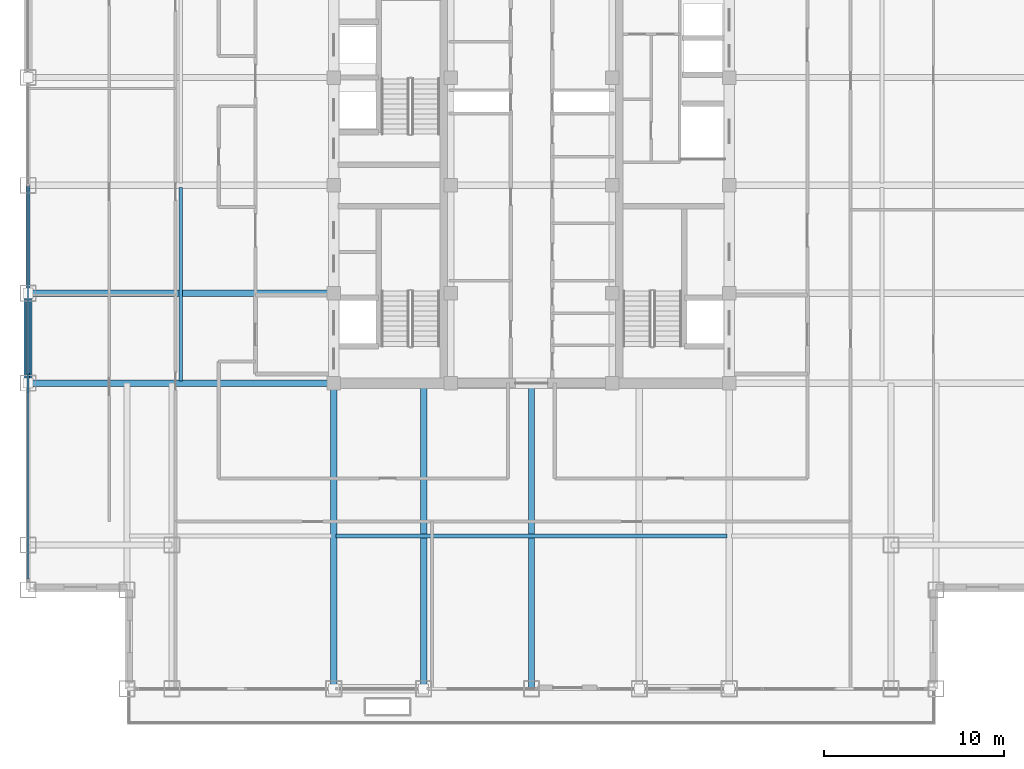
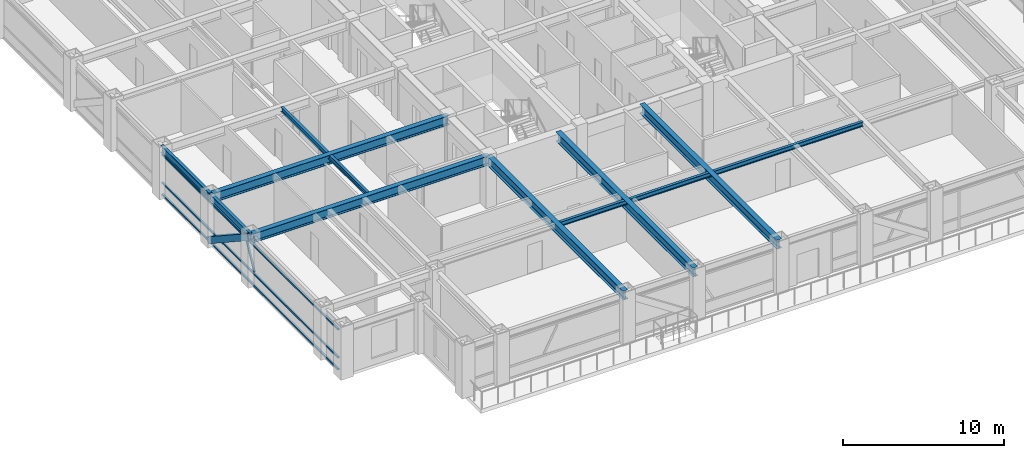
# One storey, part 6 of 32: 9 beams, 5 members, 1 element without a shape of its own.
"""IFC4 building model written with IfcOpenShell, lengths in metres."""

from ifc_helpers import new_model, si_unit, direction, frame, origin, origin_2d, place, context, subcontext, project, spatial, hollow_rectangle, i_section, extrude, source, transform, mapped, material, material_profile, profile_set, type_object, element, aggregate, save


model = new_model("IFC4")

# Units and contexts
model_context = context("Model", 3, precision=1e-05, world=origin(), true_north=direction((0.0, 1.0)))
body_context = subcontext(model_context, "Body", "Model", "MODEL_VIEW")
ifc_project = project(units=[si_unit("LENGTHUNIT", "METRE"), si_unit("AREAUNIT", "SQUARE_METRE"), si_unit("VOLUMEUNIT", "CUBIC_METRE"), si_unit("PLANEANGLEUNIT", "RADIAN"), si_unit("MASSUNIT", "GRAM", prefix="KILO")], contexts=[model_context])

# Site, building, storey
site_placement = place(None, origin())
site = spatial("IfcSite", under=ifc_project, at=site_placement, CompositionType="ELEMENT")
building_placement = place(site_placement, origin())
building = spatial("IfcBuilding", under=site, at=building_placement, Name="Khorayat Bourse Tower", CompositionType="ELEMENT")
storey_placement = place(building_placement, frame((0.0, 0.0, 273.5)))
storey = spatial("IfcBuildingStorey", under=building, at=storey_placement, Name="L64", CompositionType="ELEMENT", Elevation=273.5)

# Member
ifc_material_1 = material(Name="Steel EN 10025-4 S460M", Category="steel")
ifc_material_profile_1 = material_profile(ifc_material_1, hollow_rectangle(XDim=0.449951171875, YDim=0.449951171875, WallThickness=0.02490234375, at=origin_2d()), Name="HSS 450x450x25")
ifc_profile_set_1 = profile_set([ifc_material_profile_1], Name="Steel EN 10025-4 S460M")
member_type_1 = type_object("IfcMemberType", Name="MBR-TUBE-450", PredefinedType="BRACE", material=ifc_profile_set_1)
shared_shape_1 = source(origin(), body_context, "Body", "SweptSolid", [
    extrude(hollow_rectangle(XDim=0.449951171875, YDim=0.449951171875, WallThickness=0.02490234375, at=origin_2d()), origin(), (0.0, 0.0, 1.0), 5.979736328125),
])
member_1_placement = place(storey_placement, frame((-28.0, -11.0, 3.530029296875), z_axis=(0.0, 0.836141536525, -0.548513747227), x_axis=(-1.0, 0.0, 0.0)))
element("IfcMember", 1, at=member_1_placement, inside=storey, type_object=member_type_1, Name="L64 Perimeter Tube Brace 05", PredefinedType="BRACE", context=body_context, shape_type="MappedRepresentation", body=[
    mapped(shared_shape_1, transform((0.0, 0.0, 0.0), scale=1.0)),
])

# Beams
ifc_material_2 = material(Name="Steel ASTM A992 Grade 50", Category="steel")
ifc_material_profile_2 = material_profile(ifc_material_2, i_section(OverallWidth=0.35498046875, OverallDepth=0.695068359375, WebThickness=0.015380859375, FlangeThickness=0.02490234375, FilletRadius=0.01806640625, at=origin_2d()), Name="W690X217")
ifc_profile_set_2 = profile_set([ifc_material_profile_2], Name="Steel ASTM A992 Grade 50")
beam_type_1 = type_object("IfcBeamType", Name="BM-GIRD-690", PredefinedType="BEAM", material=ifc_profile_set_2)
shared_shape_2 = source(origin(), body_context, "Body", "SweptSolid", [
    extrude(i_section(OverallWidth=0.35498046875, OverallDepth=0.695068359375, WebThickness=0.015380859375, FlangeThickness=0.02490234375, FilletRadius=0.01806640625, at=origin_2d()), origin(), (0.0, 0.0, 1.0), 17.0),
])
for number, where, z_axis, x_axis, name in (
    (2, (-11.0, -28.0, 3.4326171875), (0.0, 1.0, 0.0), (-1.0, 0.0, 0.0), "L64 BM-GIRD-690 BM-L64-RADY-065"),
    (3, (-6.0, -28.0, 3.4326171875), (0.0, 1.0, 0.0), (-1.0, 0.0, 0.0), "L64 BM-GIRD-690 BM-L64-RADY-067"),
    (4, (0.0, -28.0, 3.4326171875), (0.0, 1.0, 0.0), (-1.0, 0.0, 0.0), "L64 BM-GIRD-690 BM-L64-RADY-069"),
    (5, (-28.0, -11.0, 3.4326171875), (1.0, 0.0, 0.0), (0.0, 1.0, 0.0), "L64 BM-GIRD-690 BM-L64-RADX-075"),
    (6, (-28.0, -6.0, 3.4326171875), (1.0, 0.0, 0.0), (0.0, 1.0, 0.0), "L64 BM-GIRD-690 BM-L64-RADX-077"),
):
    element("IfcBeam", number, at=place(storey_placement, frame(where, z_axis=z_axis, x_axis=x_axis)), inside=storey, type_object=beam_type_1, Name=name, PredefinedType="BEAM", context=body_context, shape_type="MappedRepresentation", body=[
        mapped(shared_shape_2, transform((0.0, 0.0, 0.0), scale=1.0)),
    ])
ifc_material_profile_3 = material_profile(ifc_material_2, i_section(OverallWidth=0.202880859375, OverallDepth=0.346923828125, WebThickness=0.0078125, FlangeThickness=0.013427734375, FilletRadius=0.010009765625, at=origin_2d()), Name="W360X64")
ifc_profile_set_3 = profile_set([ifc_material_profile_3], Name="Steel ASTM A992 Grade 50")
beam_type_2 = type_object("IfcBeamType", Name="BM-JOIST-360", PredefinedType="JOIST", material=ifc_profile_set_3)
shared_shape_3 = source(origin(), body_context, "Body", "SweptSolid", [
    extrude(i_section(OverallWidth=0.202880859375, OverallDepth=0.346923828125, WebThickness=0.0078125, FlangeThickness=0.013427734375, FilletRadius=0.010009765625, at=origin_2d()), origin(), (0.0, 0.0, 1.0), 21.740234375),
])
beam_1_placement = place(storey_placement, frame((-10.8701171875, -19.5, 3.6064453125), z_axis=(1.0, 0.0, 0.0), x_axis=(0.0, 1.0, 0.0)))
element("IfcBeam", 7, at=beam_1_placement, inside=storey, type_object=beam_type_2, Name="L64 BM-JOIST-360 BM-L64-JSTX-097", PredefinedType="JOIST", context=body_context, shape_type="MappedRepresentation", body=[
    mapped(shared_shape_3, transform((0.0, 0.0, 0.0), scale=1.0)),
])
shared_shape_4 = source(origin(), body_context, "Body", "SweptSolid", [
    extrude(i_section(OverallWidth=0.202880859375, OverallDepth=0.346923828125, WebThickness=0.0078125, FlangeThickness=0.013427734375, FilletRadius=0.010009765625, at=origin_2d()), origin(), (0.0, 0.0, 1.0), 10.740234375),
])
beam_2_placement = place(storey_placement, frame((-19.5, -10.8701171875, 3.6064453125), z_axis=(0.0, 1.0, 0.0), x_axis=(-1.0, 0.0, 0.0)))
element("IfcBeam", 8, at=beam_2_placement, inside=storey, type_object=beam_type_2, Name="L64 BM-JOIST-360 BM-L64-JSTY-102", PredefinedType="JOIST", context=body_context, shape_type="MappedRepresentation", body=[
    mapped(shared_shape_4, transform((0.0, 0.0, 0.0), scale=1.0)),
])
ifc_material_profile_4 = material_profile(ifc_material_2, i_section(OverallWidth=0.214111328125, OverallDepth=0.549072265625, WebThickness=0.0146484375, FlangeThickness=0.023681640625, FilletRadius=0.013916015625, at=origin_2d()), Name="W530X138")
ifc_profile_set_4 = profile_set([ifc_material_profile_4], Name="Steel ASTM A992 Grade 50")
beam_type_3 = type_object("IfcBeamType", Name="BM-SPAN-530", PredefinedType="SPANDREL", material=ifc_profile_set_4)
shared_shape_5 = source(origin(), body_context, "Body", "SweptSolid", [
    extrude(i_section(OverallWidth=0.214111328125, OverallDepth=0.549072265625, WebThickness=0.0146484375, FlangeThickness=0.023681640625, FilletRadius=0.013916015625, at=origin_2d()), origin(), (0.0, 0.0, 1.0), 5.0),
])
beam_3_placement = place(storey_placement, frame((-28.0, -11.0, 3.505615234375), z_axis=(0.0, 1.0, 0.0), x_axis=(-1.0, 0.0, 0.0)))
element("IfcBeam", 9, at=beam_3_placement, inside=storey, type_object=beam_type_3, Name="L64 BM-SPAN-530 BM-L64-SPN-059", PredefinedType="SPANDREL", context=body_context, shape_type="MappedRepresentation", body=[
    mapped(shared_shape_5, transform((0.0, 0.0, 0.0), scale=1.0)),
])
shared_shape_6 = source(origin(), body_context, "Body", "SweptSolid", [
    extrude(i_section(OverallWidth=0.214111328125, OverallDepth=0.549072265625, WebThickness=0.0146484375, FlangeThickness=0.023681640625, FilletRadius=0.013916015625, at=origin_2d()), origin(), (0.0, 0.0, 1.0), 6.0),
])
beam_4_placement = place(storey_placement, frame((-28.0, -6.0, 3.505615234375), z_axis=(0.0, 1.0, 0.0), x_axis=(-1.0, 0.0, 0.0)))
element("IfcBeam", 10, at=beam_4_placement, inside=storey, type_object=beam_type_3, Name="L64 BM-SPAN-530 BM-L64-SPN-058", PredefinedType="SPANDREL", context=body_context, shape_type="MappedRepresentation", body=[
    mapped(shared_shape_6, transform((0.0, 0.0, 0.0), scale=1.0)),
])

# Curtain wall, members
ifc_material_3 = material(Name="Aluminium EN AW-6063 T6", Category="aluminium")
curtain_wall_type = type_object("IfcCurtainWallType", Name="CW-SYS-04", PredefinedType="NOTDEFINED", material=ifc_material_3)
curtain_wall_placement = place(storey_placement, origin())
curtain_wall = element("IfcCurtainWall", 11, at=curtain_wall_placement, inside=storey, type_object=curtain_wall_type, Name="L64 Curtain Wall CW-L64-W1", PredefinedType="NOTDEFINED")
ifc_material_profile_5 = material_profile(ifc_material_3, hollow_rectangle(XDim=0.1201171875, YDim=0.1201171875, WallThickness=0.0048828125, at=origin_2d()), Name="ALU 120x120x5")
ifc_profile_set_5 = profile_set([ifc_material_profile_5], Name="Aluminium EN AW-6063 T6")
member_type_2 = type_object("IfcMemberType", Name="CWM-DIAG-120", PredefinedType="MULLION", material=ifc_profile_set_5)
shared_shape_7 = source(origin(), body_context, "Body", "SweptSolid", [
    extrude(hollow_rectangle(XDim=0.1201171875, YDim=0.1201171875, WallThickness=0.0048828125, at=origin_2d()), origin(), (0.0, 0.0, 1.0), 2.0791015625),
])
member_2_placement = place(storey_placement, frame((-28.0, -11.4541015625, 1.090087890625), z_axis=(0.0, 0.465717394116, 0.884933505309), x_axis=(-1.0, 0.0, 0.0)))
member_2 = element("IfcMember", 12, at=member_2_placement, type_object=member_type_2, Name="CW-L64-W1 Faceted Diagonal Mullion 1", PredefinedType="MULLION", context=body_context, shape_type="MappedRepresentation", body=[
    mapped(shared_shape_7, transform((0.0, 0.0, 0.0), scale=1.0)),
])
ifc_material_profile_6 = material_profile(ifc_material_3, hollow_rectangle(XDim=0.1201171875, YDim=0.1201171875, WallThickness=0.0048828125, at=origin_2d()), Name="ALU 120x120x5")
ifc_profile_set_6 = profile_set([ifc_material_profile_6], Name="Aluminium EN AW-6063 T6")
member_type_3 = type_object("IfcMemberType", Name="CWT-HORZ-120", PredefinedType="USERDEFINED", material=ifc_profile_set_6)
shared_shape_8 = source(origin(), body_context, "Body", "SweptSolid", [
    extrude(hollow_rectangle(XDim=0.1201171875, YDim=0.1201171875, WallThickness=0.0048828125, at=origin_2d()), origin(), (0.0, 0.0, 1.0), 21.81982421875),
])
member_3_placement = place(storey_placement, frame((-28.0, -21.8798828125, 0.06005859375), z_axis=(0.0, 1.0, 0.0), x_axis=(-1.0, 0.0, 0.0)))
member_3 = element("IfcMember", 13, at=member_3_placement, type_object=member_type_3, Name="CW-L64-W1 Horizontal Transom 1-1", ObjectType="TRANSOM", PredefinedType="USERDEFINED", context=body_context, shape_type="MappedRepresentation", body=[
    mapped(shared_shape_8, transform((0.0, 0.0, 0.0), scale=1.0)),
])
member_4_placement = place(storey_placement, frame((-28.0, -21.8798828125, 0.949951171875), z_axis=(0.0, 1.0, 0.0), x_axis=(-1.0, 0.0, 0.0)))
member_4 = element("IfcMember", 14, at=member_4_placement, type_object=member_type_3, Name="CW-L64-W1 Horizontal Transom 1-2", ObjectType="TRANSOM", PredefinedType="USERDEFINED", context=body_context, shape_type="MappedRepresentation", body=[
    mapped(shared_shape_8, transform((0.0, 0.0, 0.0), scale=1.0)),
])
member_5_placement = place(storey_placement, frame((-28.0, -21.8798828125, 3.070068359375), z_axis=(0.0, 1.0, 0.0), x_axis=(-1.0, 0.0, 0.0)))
member_5 = element("IfcMember", 15, at=member_5_placement, type_object=member_type_3, Name="CW-L64-W1 Horizontal Transom 1-3", ObjectType="TRANSOM", PredefinedType="USERDEFINED", context=body_context, shape_type="MappedRepresentation", body=[
    mapped(shared_shape_8, transform((0.0, 0.0, 0.0), scale=1.0)),
])
aggregate(curtain_wall, [member_3, member_4, member_5, member_2])

save(model, "model.ifc")
